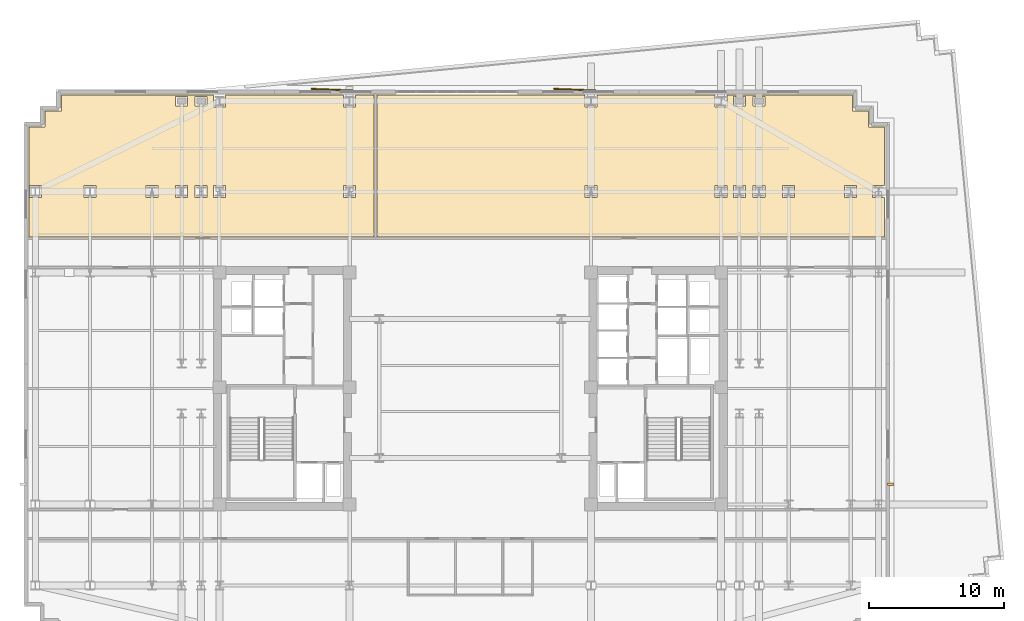
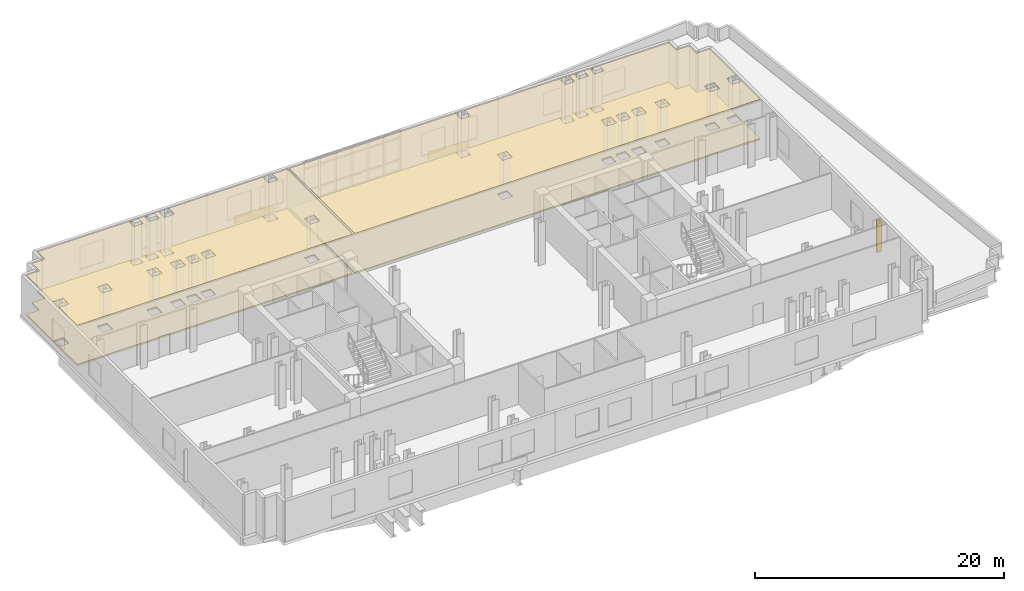
# One storey, part 14 of 14: 6 coverings, 1 shading device.
"""IFC4 building model written with IfcOpenShell, lengths in metres."""

from ifc_helpers import new_model, si_unit, direction, frame, origin, origin_2d, place, context, subcontext, project, spatial, polyline, rectangle, outline, extrude, material, layer, layer_set, type_object, element, save


model = new_model("IFC4")

# Units and contexts
model_context = context("Model", 3, precision=1e-05, world=origin(), true_north=direction((0.0, 1.0)))
body_context = subcontext(model_context, "Body", "Model", "MODEL_VIEW")
ifc_project = project(units=[si_unit("LENGTHUNIT", "METRE"), si_unit("AREAUNIT", "SQUARE_METRE"), si_unit("VOLUMEUNIT", "CUBIC_METRE"), si_unit("PLANEANGLEUNIT", "RADIAN"), si_unit("MASSUNIT", "GRAM", prefix="KILO")], contexts=[model_context])

# Site, building, storey
site_placement = place(None, origin())
site = spatial("IfcSite", under=ifc_project, at=site_placement, CompositionType="ELEMENT")
building_placement = place(site_placement, origin())
building = spatial("IfcBuilding", under=site, at=building_placement, Name="Velakula Bourse", CompositionType="ELEMENT")
storey_placement = place(building_placement, frame((0.0, 0.0, 116.64990234375)))
storey = spatial("IfcBuildingStorey", under=building, at=storey_placement, Name="L31", CompositionType="ELEMENT", Elevation=116.64990234375)

# Coverings
ifc_material_1 = material(Name="Red kilned clay facing brick masonry", Category="masonry")
ifc_layer_1 = layer(ifc_material_1, 0.090087890625, Name="Red kilned clay facing brick masonry", Category="masonry")
ifc_layer_set_1 = layer_set([ifc_layer_1], Name="Red kilned clay facing brick masonry")
covering_type_1 = type_object("IfcCoveringType", Name="COV-BRK-FOLD-90", PredefinedType="CLADDING", material=ifc_layer_set_1)
for number, where, z_axis, x_axis, name in (
    (1, (-10.0, 22.139892578125, 0.0), (0.0, 0.0, 1.0), (0.999158993058, -0.041003738744, 0.0), "L31 Folded Brick Facade Cladding Panel N-B2"),
    (2, (8.0, 22.139892578125, 0.0), (0.0, 0.0, 1.0), (0.999158993058, -0.041003738744, 0.0), "L31 Folded Brick Facade Cladding Panel N-B4"),
):
    element("IfcCovering", number, at=place(storey_placement, frame(where, z_axis=z_axis, x_axis=x_axis)), inside=storey, type_object=covering_type_1, Name=name, PredefinedType="CLADDING", context=body_context, shape_type="SweptSolid", body=[
        extrude(rectangle(XDim=3.60009765625, YDim=0.090087890625, at=origin_2d()), origin(), (0.0, 0.0, 1.0), 0.719970703125),
    ])
ifc_material_2 = material(Name="Mineral-fibre acoustic suspended ceiling tile", Category="mineral")
ifc_layer_2 = layer(ifc_material_2, 0.0400390625, Name="Mineral-fibre acoustic suspended ceiling tile", Category="mineral")
ifc_layer_set_2 = layer_set([ifc_layer_2], Name="Mineral-fibre acoustic suspended ceiling tile")
covering_type_2 = type_object("IfcCoveringType", Name="COV-CEIL-AC-40", PredefinedType="CEILING", material=ifc_layer_set_2)
covering_1_placement = place(storey_placement, frame((0.0, 0.0, 3.9501953125)))
element("IfcCovering", 3, at=covering_1_placement, inside=storey, type_object=covering_type_2, Name="L31 Listing Committee Chamber Acoustic Suspended Ceiling", PredefinedType="CEILING", context=body_context, shape_type="SweptSolid", body=[
    extrude(outline(polyline([(28.320068359375, 20.570068359375), (29.52001953125, 20.570068359375), (29.52001953125, 19.3701171875), (30.719970703125, 19.3701171875), (30.719970703125, 11.22998046875), (-6.93408203125, 11.22998046875), (-6.93408203125, 21.77001953125), (28.320068359375, 21.77001953125), (28.320068359375, 20.570068359375)]), holes=[polyline([(8.5048828125, 15.044921875), (8.5048828125, 14.155029296875), (9.39501953125, 14.155029296875), (9.39501953125, 15.044921875), (8.5048828125, 15.044921875)]), polyline([(8.5048828125, 20.85498046875), (9.39501953125, 20.85498046875), (9.39501953125, 21.7451171875), (8.5048828125, 21.7451171875), (8.5048828125, 20.85498046875)]), polyline([(18.155029296875, 21.7451171875), (18.155029296875, 20.85498046875), (19.044921875, 20.85498046875), (19.044921875, 21.7451171875), (18.155029296875, 21.7451171875)]), polyline([(29.804931640625, 14.155029296875), (30.695068359375, 14.155029296875), (30.695068359375, 15.044921875), (29.804931640625, 15.044921875), (29.804931640625, 14.155029296875)]), polyline([(27.7548828125, 15.044921875), (27.7548828125, 14.155029296875), (28.64501953125, 14.155029296875), (28.64501953125, 15.044921875), (27.7548828125, 15.044921875)]), polyline([(23.155029296875, 15.044921875), (23.155029296875, 14.155029296875), (24.044921875, 14.155029296875), (24.044921875, 15.044921875), (23.155029296875, 15.044921875)]), polyline([(20.955078125, 14.155029296875), (21.844970703125, 14.155029296875), (21.844970703125, 15.044921875), (20.955078125, 15.044921875), (20.955078125, 14.155029296875)]), polyline([(19.5048828125, 14.155029296875), (20.39501953125, 14.155029296875), (20.39501953125, 15.044921875), (19.5048828125, 15.044921875), (19.5048828125, 14.155029296875)]), polyline([(18.155029296875, 14.155029296875), (19.044921875, 14.155029296875), (19.044921875, 15.044921875), (18.155029296875, 15.044921875), (18.155029296875, 14.155029296875)]), polyline([(20.955078125, 21.64501953125), (20.955078125, 20.955078125), (21.844970703125, 20.955078125), (21.844970703125, 21.64501953125), (20.955078125, 21.64501953125)]), polyline([(19.5048828125, 21.64501953125), (19.5048828125, 20.955078125), (20.39501953125, 20.955078125), (20.39501953125, 21.64501953125), (19.5048828125, 21.64501953125)])]), origin(), (0.0, 0.0, 1.0), 0.039794921875),
])
covering_2_placement = place(storey_placement, frame((0.0, 0.0, 3.9501953125)))
element("IfcCovering", 4, at=covering_2_placement, inside=storey, type_object=covering_type_2, Name="L31 Sky Reception Foyer Acoustic Suspended Ceiling", PredefinedType="CEILING", context=body_context, shape_type="SweptSolid", body=[
    extrude(outline(polyline([(-31.52001953125, 20.570068359375), (-30.320068359375, 20.570068359375), (-30.320068359375, 21.77001953125), (-7.134033203125, 21.77001953125), (-7.134033203125, 11.22998046875), (-32.719970703125, 11.22998046875), (-32.719970703125, 19.3701171875), (-31.52001953125, 19.3701171875), (-31.52001953125, 20.570068359375)]), holes=[polyline([(-32.695068359375, 15.044921875), (-32.695068359375, 14.155029296875), (-31.804931640625, 14.155029296875), (-31.804931640625, 15.044921875), (-32.695068359375, 15.044921875)]), polyline([(-21.844970703125, 15.044921875), (-21.844970703125, 14.155029296875), (-20.955078125, 14.155029296875), (-20.955078125, 15.044921875), (-21.844970703125, 15.044921875)]), polyline([(-24.044921875, 14.155029296875), (-23.155029296875, 14.155029296875), (-23.155029296875, 15.044921875), (-24.044921875, 15.044921875), (-24.044921875, 14.155029296875)]), polyline([(-28.64501953125, 14.155029296875), (-27.7548828125, 14.155029296875), (-27.7548828125, 15.044921875), (-28.64501953125, 15.044921875), (-28.64501953125, 14.155029296875)]), polyline([(-20.39501953125, 14.155029296875), (-19.5048828125, 14.155029296875), (-19.5048828125, 15.044921875), (-20.39501953125, 15.044921875), (-20.39501953125, 14.155029296875)]), polyline([(-19.044921875, 15.044921875), (-19.044921875, 14.155029296875), (-18.155029296875, 14.155029296875), (-18.155029296875, 15.044921875), (-19.044921875, 15.044921875)]), polyline([(-21.844970703125, 21.64501953125), (-21.844970703125, 20.955078125), (-20.955078125, 20.955078125), (-20.955078125, 21.64501953125), (-21.844970703125, 21.64501953125)]), polyline([(-20.39501953125, 20.955078125), (-19.5048828125, 20.955078125), (-19.5048828125, 21.64501953125), (-20.39501953125, 21.64501953125), (-20.39501953125, 20.955078125)]), polyline([(-19.044921875, 20.85498046875), (-18.155029296875, 20.85498046875), (-18.155029296875, 21.7451171875), (-19.044921875, 21.7451171875), (-19.044921875, 20.85498046875)]), polyline([(-9.39501953125, 14.155029296875), (-8.5048828125, 14.155029296875), (-8.5048828125, 15.044921875), (-9.39501953125, 15.044921875), (-9.39501953125, 14.155029296875)]), polyline([(-9.39501953125, 20.85498046875), (-8.5048828125, 20.85498046875), (-8.5048828125, 21.7451171875), (-9.39501953125, 21.7451171875), (-9.39501953125, 20.85498046875)])]), origin(), (0.0, 0.0, 1.0), 0.039794921875),
])
ifc_material_3 = material(Name="Calcium-sulphate antistatic raised access flooring", Category="gypsum")
ifc_layer_3 = layer(ifc_material_3, 0.14990234375, Name="Calcium-sulphate antistatic raised access flooring", Category="gypsum")
ifc_layer_set_3 = layer_set([ifc_layer_3], Name="Calcium-sulphate antistatic raised access flooring")
covering_type_3 = type_object("IfcCoveringType", Name="COV-FLR-RAISED-150", PredefinedType="FLOORING", material=ifc_layer_set_3)
covering_3_placement = place(storey_placement, origin())
element("IfcCovering", 5, at=covering_3_placement, inside=storey, type_object=covering_type_3, Name="L31 Listing Committee Chamber Raised Trading Access Floor", PredefinedType="FLOORING", context=body_context, shape_type="SweptSolid", body=[
    extrude(outline(polyline([(28.320068359375, 20.570068359375), (29.52001953125, 20.570068359375), (29.52001953125, 19.3701171875), (30.719970703125, 19.3701171875), (30.719970703125, 11.22998046875), (-6.93408203125, 11.22998046875), (-6.93408203125, 21.77001953125), (28.320068359375, 21.77001953125), (28.320068359375, 20.570068359375)]), holes=[polyline([(8.5048828125, 15.044921875), (8.5048828125, 14.155029296875), (9.39501953125, 14.155029296875), (9.39501953125, 15.044921875), (8.5048828125, 15.044921875)]), polyline([(8.5048828125, 20.85498046875), (9.39501953125, 20.85498046875), (9.39501953125, 21.7451171875), (8.5048828125, 21.7451171875), (8.5048828125, 20.85498046875)]), polyline([(18.155029296875, 21.7451171875), (18.155029296875, 20.85498046875), (19.044921875, 20.85498046875), (19.044921875, 21.7451171875), (18.155029296875, 21.7451171875)]), polyline([(29.804931640625, 14.155029296875), (30.695068359375, 14.155029296875), (30.695068359375, 15.044921875), (29.804931640625, 15.044921875), (29.804931640625, 14.155029296875)]), polyline([(27.7548828125, 15.044921875), (27.7548828125, 14.155029296875), (28.64501953125, 14.155029296875), (28.64501953125, 15.044921875), (27.7548828125, 15.044921875)]), polyline([(23.155029296875, 15.044921875), (23.155029296875, 14.155029296875), (24.044921875, 14.155029296875), (24.044921875, 15.044921875), (23.155029296875, 15.044921875)]), polyline([(20.955078125, 14.155029296875), (21.844970703125, 14.155029296875), (21.844970703125, 15.044921875), (20.955078125, 15.044921875), (20.955078125, 14.155029296875)]), polyline([(19.5048828125, 14.155029296875), (20.39501953125, 14.155029296875), (20.39501953125, 15.044921875), (19.5048828125, 15.044921875), (19.5048828125, 14.155029296875)]), polyline([(18.155029296875, 14.155029296875), (19.044921875, 14.155029296875), (19.044921875, 15.044921875), (18.155029296875, 15.044921875), (18.155029296875, 14.155029296875)]), polyline([(20.955078125, 21.64501953125), (20.955078125, 20.955078125), (21.844970703125, 20.955078125), (21.844970703125, 21.64501953125), (20.955078125, 21.64501953125)]), polyline([(19.5048828125, 21.64501953125), (19.5048828125, 20.955078125), (20.39501953125, 20.955078125), (20.39501953125, 21.64501953125), (19.5048828125, 21.64501953125)])]), origin(), (0.0, 0.0, 1.0), 0.150146484375),
])
covering_4_placement = place(storey_placement, origin())
element("IfcCovering", 6, at=covering_4_placement, inside=storey, type_object=covering_type_3, Name="L31 Sky Reception Foyer Raised Trading Access Floor", PredefinedType="FLOORING", context=body_context, shape_type="SweptSolid", body=[
    extrude(outline(polyline([(-31.52001953125, 20.570068359375), (-30.320068359375, 20.570068359375), (-30.320068359375, 21.77001953125), (-7.134033203125, 21.77001953125), (-7.134033203125, 11.22998046875), (-32.719970703125, 11.22998046875), (-32.719970703125, 19.3701171875), (-31.52001953125, 19.3701171875), (-31.52001953125, 20.570068359375)]), holes=[polyline([(-32.695068359375, 15.044921875), (-32.695068359375, 14.155029296875), (-31.804931640625, 14.155029296875), (-31.804931640625, 15.044921875), (-32.695068359375, 15.044921875)]), polyline([(-21.844970703125, 15.044921875), (-21.844970703125, 14.155029296875), (-20.955078125, 14.155029296875), (-20.955078125, 15.044921875), (-21.844970703125, 15.044921875)]), polyline([(-24.044921875, 14.155029296875), (-23.155029296875, 14.155029296875), (-23.155029296875, 15.044921875), (-24.044921875, 15.044921875), (-24.044921875, 14.155029296875)]), polyline([(-28.64501953125, 14.155029296875), (-27.7548828125, 14.155029296875), (-27.7548828125, 15.044921875), (-28.64501953125, 15.044921875), (-28.64501953125, 14.155029296875)]), polyline([(-20.39501953125, 14.155029296875), (-19.5048828125, 14.155029296875), (-19.5048828125, 15.044921875), (-20.39501953125, 15.044921875), (-20.39501953125, 14.155029296875)]), polyline([(-19.044921875, 15.044921875), (-19.044921875, 14.155029296875), (-18.155029296875, 14.155029296875), (-18.155029296875, 15.044921875), (-19.044921875, 15.044921875)]), polyline([(-21.844970703125, 21.64501953125), (-21.844970703125, 20.955078125), (-20.955078125, 20.955078125), (-20.955078125, 21.64501953125), (-21.844970703125, 21.64501953125)]), polyline([(-20.39501953125, 20.955078125), (-19.5048828125, 20.955078125), (-19.5048828125, 21.64501953125), (-20.39501953125, 21.64501953125), (-20.39501953125, 20.955078125)]), polyline([(-19.044921875, 20.85498046875), (-18.155029296875, 20.85498046875), (-18.155029296875, 21.7451171875), (-19.044921875, 21.7451171875), (-19.044921875, 20.85498046875)]), polyline([(-9.39501953125, 14.155029296875), (-8.5048828125, 14.155029296875), (-8.5048828125, 15.044921875), (-9.39501953125, 15.044921875), (-9.39501953125, 14.155029296875)]), polyline([(-9.39501953125, 20.85498046875), (-8.5048828125, 20.85498046875), (-8.5048828125, 21.7451171875), (-9.39501953125, 21.7451171875), (-9.39501953125, 20.85498046875)])]), origin(), (0.0, 0.0, 1.0), 0.150146484375),
])

# Shading device
ifc_material_4 = material(Name="Anodised bronze architectural aluminium", Category="aluminium")
shading_device_type = type_object("IfcShadingDeviceType", Name="SHD-FIN-450", PredefinedType="USERDEFINED", material=ifc_material_4)
shading_device_placement = place(storey_placement, frame((31.159912109375, -7.094970703125, 0.0), z_axis=(0.0, 0.0, 1.0), x_axis=(1.0, 0.0, 0.0)))
element("IfcShadingDevice", 7, at=shading_device_placement, inside=storey, type_object=shading_device_type, Name="L31 Vertical Bronze Solar Shading Fin E", ObjectType="FIN", PredefinedType="USERDEFINED", context=body_context, shape_type="SweptSolid", body=[
    extrude(rectangle(XDim=0.449951171875, YDim=0.179931640625, at=origin_2d()), origin(), (0.0, 0.0, 1.0), 3.10009765625),
])

save(model, "model.ifc")
